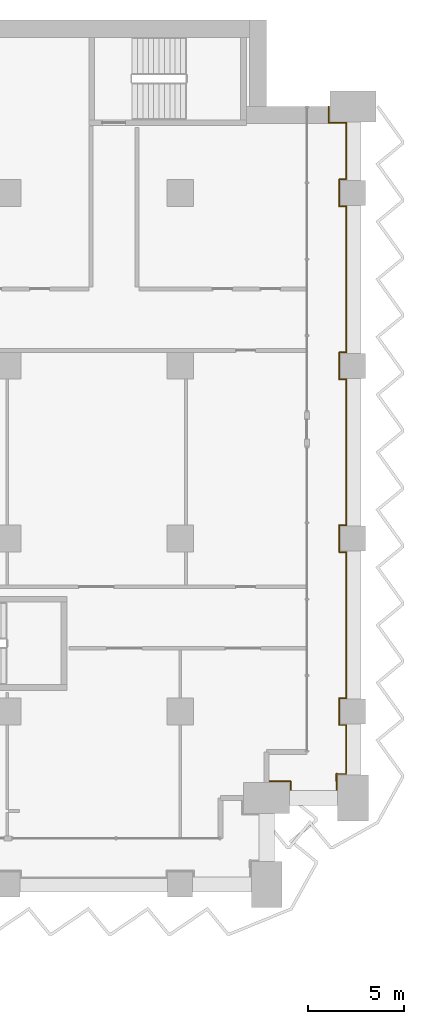
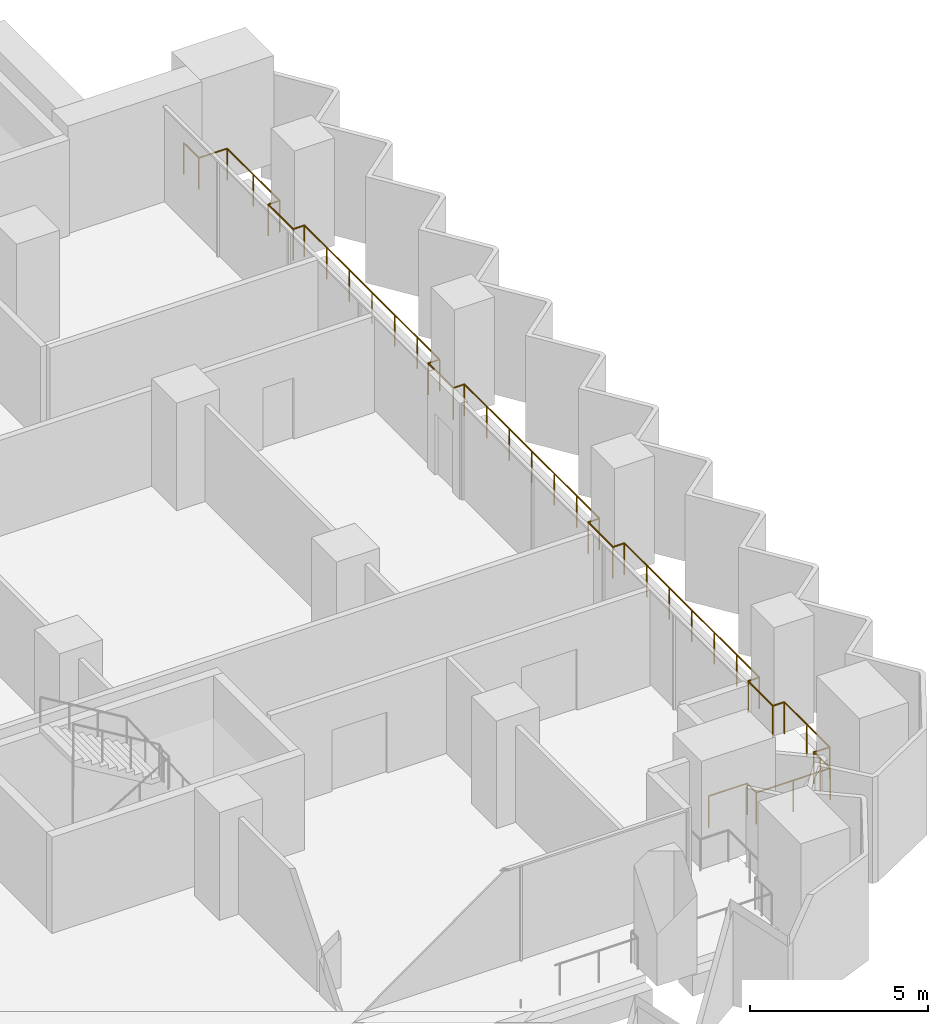
# One storey, part 28 of 28: 1 railing.
"""IFC4 building model written with IfcOpenShell, lengths in metres."""

import ifcopenshell
import ifcopenshell.guid

model = None  # the IFC model being written
_history = None  # IfcOwnerHistory: only IFC2X3 demands one
_inside = {}  # id of a spatial element -> (the spatial element, [elements in it])
_under = {}  # id of a project, library or spatial element -> (it, [spatial elements below it])
_declared = {}  # id of a project -> (the project, [libraries it declares])
_typed = {}  # id of a type object -> (the type object, [elements of that type])
_made_of = {}  # id of a material, layer set ... -> (it, [elements and type objects made of it])


def new_model(schema):
    """Start an empty IFC model of exactly this schema.

    Asked for "IFC4X3", IfcOpenShell would pick the latest addendum, in which some entities
    have other attributes; the version numbers below select the first issue.
    IFC2X3 requires an IfcOwnerHistory on every rooted entity: one is made here for all.
    """
    global model, _history
    if schema == "IFC4X3":
        model = ifcopenshell.file(schema_version=(4, 3, 0, 0))
    else:
        model = ifcopenshell.file(schema=schema)
    _inside.clear()
    _under.clear()
    _declared.clear()
    _typed.clear()
    _made_of.clear()
    _history = None
    if model.schema == "IFC2X3":
        org = make("IfcOrganization", Name="unknown")
        user = make(
            "IfcPersonAndOrganization",
            ThePerson=make("IfcPerson", FamilyName="unknown"),
            TheOrganization=org,
        )
        app = make(
            "IfcApplication",
            ApplicationDeveloper=org,
            Version="unknown",
            ApplicationFullName="unknown",
            ApplicationIdentifier="unknown",
        )
        _history = make(
            "IfcOwnerHistory",
            OwningUser=user,
            OwningApplication=app,
            ChangeAction="ADDED",
            CreationDate=0,
        )
    return model


def make(cls, **values):
    """One entity of the class cls with the attributes given. An attribute that is None is left unset."""
    return model.create_entity(
        cls, **{name: value for name, value in values.items() if value is not None}
    )


def rooted(cls, **values):
    """An entity with a GlobalId (a new one), such as an element, a storey or a relation."""
    return make(cls, GlobalId=ifcopenshell.guid.new(), OwnerHistory=_history, **values)


def si_unit(unit_type, name, prefix=None):
    """IfcSIUnit, for example si_unit("LENGTHUNIT", "METRE", prefix="MILLI")."""
    return make("IfcSIUnit", UnitType=unit_type, Prefix=prefix, Name=name)


def assignment(units):
    """IfcUnitAssignment: the units of a project."""
    return None if units is None else make("IfcUnitAssignment", Units=units)


def point(xyz):
    """IfcCartesianPoint."""
    return None if xyz is None else make("IfcCartesianPoint", Coordinates=xyz)


def direction(xyz):
    """IfcDirection."""
    return None if xyz is None else make("IfcDirection", DirectionRatios=xyz)


def frame(location, z_axis=None, x_axis=None):
    """IfcAxis2Placement3D, a coordinate frame: its origin and axes. An axis left out is left unset."""
    return make(
        "IfcAxis2Placement3D",
        Location=point(location),
        Axis=direction(z_axis),
        RefDirection=direction(x_axis),
    )


def frame_2d(location, x_axis=None):
    """IfcAxis2Placement2D, a coordinate frame in the plane: its origin and x axis."""
    return make(
        "IfcAxis2Placement2D", Location=point(location), RefDirection=direction(x_axis)
    )


def origin():
    """The frame at (0, 0, 0) with its axes left unset."""
    return frame((0.0, 0.0, 0.0))


def origin_2d():
    """The frame at (0, 0) in the plane with its x axis left unset."""
    return frame_2d((0.0, 0.0))


def place(relative_to, where):
    """IfcLocalPlacement: puts the frame where relative to a parent placement (None: the world)."""
    return make(
        "IfcLocalPlacement", PlacementRelTo=relative_to, RelativePlacement=where
    )


def context(
    kind, dimensions, precision=None, world=None, true_north=None, identifier=None
):
    """IfcGeometricRepresentationContext, for example the 3D "Model" context."""
    return make(
        "IfcGeometricRepresentationContext",
        ContextIdentifier=identifier,
        ContextType=kind,
        CoordinateSpaceDimension=dimensions,
        Precision=precision,
        WorldCoordinateSystem=world,
        TrueNorth=true_north,
    )


def subcontext(parent, identifier, kind, view, scale=None):
    """IfcGeometricRepresentationSubContext, for example "Body" below "Model"."""
    return make(
        "IfcGeometricRepresentationSubContext",
        ContextIdentifier=identifier,
        ContextType=kind,
        ParentContext=parent,
        TargetScale=scale,
        TargetView=view,
    )


def project(units=None, contexts=None):
    """IfcProject with its units and contexts."""
    return rooted(
        "IfcProject",
        Name="project",
        RepresentationContexts=contexts,
        UnitsInContext=assignment(units),
    )


def spatial(cls, under=None, at=None, **own):
    """A site, building, storey or space (cls), placed at a placement, below another one or the project."""
    s = rooted(cls, ObjectPlacement=at, **own)
    if under is not None:
        _under.setdefault(under.id(), (under, []))[1].append(s)
    return s


def profile(cls, at=None, kind="AREA", **sizes):
    """A parametric profile (cls). Its sizes go by their IFC names, for example OverallWidth=200.0."""
    return make(cls, ProfileType=kind, Position=at, **sizes)


def circle(**sizes):
    """IfcCircleProfileDef."""
    return profile("IfcCircleProfileDef", **sizes)


def extrude(swept, where, along, depth):
    """IfcExtrudedAreaSolid: the profile swept, set in the frame where, extruded along a direction by depth."""
    return make(
        "IfcExtrudedAreaSolid",
        SweptArea=swept,
        Position=where,
        ExtrudedDirection=direction(along),
        Depth=depth,
    )


def shape(context_of_items, identifier, shape_type, items):
    """IfcShapeRepresentation: the items that make up one representation, for example the "Body"."""
    return make(
        "IfcShapeRepresentation",
        ContextOfItems=context_of_items,
        RepresentationIdentifier=identifier,
        RepresentationType=shape_type,
        Items=items,
    )


def material(Name=None, Category=None):
    """IfcMaterial."""
    return make("IfcMaterial", Name=Name, Category=Category)


def made_of(thing, what):
    """Note that an element or type object is made of a material, layer set ...; save() writes the relation."""
    if what is not None:
        _made_of.setdefault(what.id(), (what, []))[1].append(thing)
    return thing


def type_object(cls, material=None, **own):
    """A type object (cls), such as IfcWallType, which elements share."""
    return made_of(rooted(cls, **own), material)


def element(
    cls,
    number,
    at=None,
    inside=None,
    cuts=None,
    type_object=None,
    material=None,
    context=None,
    identifier="Body",
    shape_type=None,
    held_by="IfcProductDefinitionShape",
    body=None,
    shapes=None,
    **own,
):
    """One element of the class cls, such as IfcWall. Its Tag is "e" and its number.

    at: its placement. inside: the storey or other place that contains it. cuts: it is an
    opening in that element (IfcRelVoidsElement). A single representation is given by context,
    identifier, shape_type and body (its items); several are given by shapes. held_by: the class
    of the entity that holds the representations. save() writes the other relations.
    """
    e = rooted(cls, Tag="e%d" % number, ObjectPlacement=at, **own)
    if body is not None:
        shapes = [shape(context, identifier, shape_type, body)]
    if shapes is not None:
        e.Representation = make(held_by, Representations=shapes)
    if inside is not None:
        _inside.setdefault(inside.id(), (inside, []))[1].append(e)
    if cuts is not None:
        rooted(
            "IfcRelVoidsElement", RelatingBuildingElement=cuts, RelatedOpeningElement=e
        )
    if type_object is not None:
        _typed.setdefault(type_object.id(), (type_object, []))[1].append(e)
    return made_of(e, material)


def aggregate(whole, parts):
    """IfcRelAggregates: a whole, such as a stair, and the parts it consists of."""
    return rooted("IfcRelAggregates", RelatingObject=whole, RelatedObjects=parts)


def save(model, path):
    """Write the relations noted so far, then the file.

    IfcRelAggregates (storeys below a building ...), IfcRelContainedInSpatialStructure (elements
    in a storey), IfcRelDefinesByType, IfcRelAssociatesMaterial and IfcRelDeclares: one each for
    every whole, place, type object, material and project.
    """
    for whole, parts in _under.values():
        aggregate(whole, parts)
    for where, things in _inside.values():
        rooted(
            "IfcRelContainedInSpatialStructure",
            RelatedElements=things,
            RelatingStructure=where,
        )
    for kind, things in _typed.values():
        rooted("IfcRelDefinesByType", RelatedObjects=things, RelatingType=kind)
    for what, things in _made_of.values():
        rooted("IfcRelAssociatesMaterial", RelatedObjects=things, RelatingMaterial=what)
    for by, libraries in _declared.values():
        rooted("IfcRelDeclares", RelatingContext=by, RelatedDefinitions=libraries)
    model.write(path)


model = new_model("IFC4")

# Units and contexts
model_context = context("Model", 3, precision=1e-05, world=origin(), true_north=direction((0.0, 1.0)))
body_context = subcontext(model_context, "Body", "Model", "MODEL_VIEW")
ifc_project = project(units=[si_unit("LENGTHUNIT", "METRE"), si_unit("AREAUNIT", "SQUARE_METRE"), si_unit("VOLUMEUNIT", "CUBIC_METRE"), si_unit("PLANEANGLEUNIT", "RADIAN"), si_unit("MASSUNIT", "GRAM", prefix="KILO")], contexts=[model_context])

# Site, building, storey
site_placement = place(None, origin())
site = spatial("IfcSite", under=ifc_project, at=site_placement, CompositionType="ELEMENT")
building_placement = place(site_placement, origin())
building = spatial("IfcBuilding", under=site, at=building_placement, Name="Hunhe Ridgeline Campus", CompositionType="ELEMENT")
storey_placement = place(building_placement, frame((0.0, 0.0, 58.0)))
storey = spatial("IfcBuildingStorey", under=building, at=storey_placement, Name="L13", CompositionType="ELEMENT", Elevation=58.0)

# Railing
ifc_material = material(Name="Steel Q355", Category="steel")
railing_type = type_object("IfcRailingType", Name="Loggia guard 1100 Steel Q355", PredefinedType="GUARDRAIL", material=ifc_material)
railing_placement = place(storey_placement, frame((94.5, 59.3701171875, 0.0)))
element("IfcRailing", 1, at=railing_placement, inside=storey, type_object=railing_type, Name="Loggia guard 3", PredefinedType="GUARDRAIL", context=body_context, shape_type="SweptSolid", body=[
    extrude(circle(Radius=0.02392578125, at=origin_2d()), frame((0.0, 0.0, 1.076171875), z_axis=(1.0, 0.0, 0.0), x_axis=(0.0, 1.0, 0.0)), (0.0, 0.0, 1.0), 1.25),
    extrude(circle(Radius=0.02392578125, at=origin_2d()), frame((1.25, 0.0, 1.076171875), z_axis=(0.0, -1.0, 0.0), x_axis=(1.0, 0.0, 0.0)), (0.0, 0.0, 1.0), 0.52001953125),
    extrude(circle(Radius=0.02392578125, at=origin_2d()), frame((1.25, -0.52001953125, 1.076171875), z_axis=(1.0, 0.0, 0.0), x_axis=(0.0, 1.0, 0.0)), (0.0, 0.0, 1.0), 2.39990234375),
    extrude(circle(Radius=0.02392578125, at=origin_2d()), frame((3.64990234375, -0.52001953125, 1.076171875), z_axis=(0.0, 1.0, 0.0), x_axis=(-1.0, 0.0, 0.0)), (0.0, 0.0, 1.0), 0.919921875),
    extrude(circle(Radius=0.02392578125, at=origin_2d()), frame((3.64990234375, 0.39990234375, 1.076171875), z_axis=(-0.049998438503, -0.998749295943, 0.0), x_axis=(0.998749295943, -0.049998438503, 0.0)), (0.0, 0.0, 1.0), 0.400390625),
    extrude(circle(Radius=0.02392578125, at=origin_2d()), frame((3.6298828125, 0.0, 1.076171875), z_axis=(0.0, 1.0, 0.0), x_axis=(-1.0, 0.0, 0.0)), (0.0, 0.0, 1.0), 0.3798828125),
    extrude(circle(Radius=0.02392578125, at=origin_2d()), frame((3.6298828125, 0.3798828125, 1.076171875), z_axis=(1.0, 0.0, 0.0), x_axis=(0.0, 1.0, 0.0)), (0.0, 0.0, 1.0), 0.52001953125),
    extrude(circle(Radius=0.02392578125, at=origin_2d()), frame((4.14990234375, 0.3798828125, 1.076171875), z_axis=(0.0, 1.0, 0.0), x_axis=(-1.0, 0.0, 0.0)), (0.0, 0.0, 1.0), 2.550048828125),
    extrude(circle(Radius=0.02392578125, at=origin_2d()), frame((4.14990234375, 2.929931640625, 1.076171875), z_axis=(-1.0, 0.0, 0.0), x_axis=(0.0, -1.0, 0.0)), (0.0, 0.0, 1.0), 0.369873046875),
    extrude(circle(Radius=0.02392578125, at=origin_2d()), frame((3.780029296875, 2.929931640625, 1.076171875), z_axis=(0.0, 1.0, 0.0), x_axis=(-1.0, 0.0, 0.0)), (0.0, 0.0, 1.0), 1.39990234375),
    extrude(circle(Radius=0.02392578125, at=origin_2d()), frame((3.780029296875, 4.329833984375, 1.076171875), z_axis=(1.0, 0.0, 0.0), x_axis=(0.0, 1.0, 0.0)), (0.0, 0.0, 1.0), 0.369873046875),
    extrude(circle(Radius=0.02392578125, at=origin_2d()), frame((4.14990234375, 4.329833984375, 1.076171875), z_axis=(0.0, 1.0, 0.0), x_axis=(-1.0, 0.0, 0.0)), (0.0, 0.0, 1.0), 7.60009765625),
    extrude(circle(Radius=0.02392578125, at=origin_2d()), frame((4.14990234375, 11.929931640625, 1.076171875), z_axis=(-1.0, 0.0, 0.0), x_axis=(0.0, -1.0, 0.0)), (0.0, 0.0, 1.0), 0.369873046875),
    extrude(circle(Radius=0.02392578125, at=origin_2d()), frame((3.780029296875, 11.929931640625, 1.076171875), z_axis=(0.0, 1.0, 0.0), x_axis=(-1.0, 0.0, 0.0)), (0.0, 0.0, 1.0), 1.39990234375),
    extrude(circle(Radius=0.02392578125, at=origin_2d()), frame((3.780029296875, 13.329833984375, 1.076171875), z_axis=(1.0, 0.0, 0.0), x_axis=(0.0, 1.0, 0.0)), (0.0, 0.0, 1.0), 0.369873046875),
    extrude(circle(Radius=0.02392578125, at=origin_2d()), frame((4.14990234375, 13.329833984375, 1.076171875), z_axis=(0.0, 1.0, 0.0), x_axis=(-1.0, 0.0, 0.0)), (0.0, 0.0, 1.0), 7.60009765625),
    extrude(circle(Radius=0.02392578125, at=origin_2d()), frame((4.14990234375, 20.929931640625, 1.076171875), z_axis=(-1.0, 0.0, 0.0), x_axis=(0.0, -1.0, 0.0)), (0.0, 0.0, 1.0), 0.369873046875),
    extrude(circle(Radius=0.02392578125, at=origin_2d()), frame((3.780029296875, 20.929931640625, 1.076171875), z_axis=(0.0, 1.0, 0.0), x_axis=(-1.0, 0.0, 0.0)), (0.0, 0.0, 1.0), 1.39990234375),
    extrude(circle(Radius=0.02392578125, at=origin_2d()), frame((3.780029296875, 22.329833984375, 1.076171875), z_axis=(1.0, 0.0, 0.0), x_axis=(0.0, 1.0, 0.0)), (0.0, 0.0, 1.0), 0.369873046875),
    extrude(circle(Radius=0.02392578125, at=origin_2d()), frame((4.14990234375, 22.329833984375, 1.076171875), z_axis=(0.0, 1.0, 0.0), x_axis=(-1.0, 0.0, 0.0)), (0.0, 0.0, 1.0), 7.60009765625),
    extrude(circle(Radius=0.02392578125, at=origin_2d()), frame((4.14990234375, 29.929931640625, 1.076171875), z_axis=(-1.0, 0.0, 0.0), x_axis=(0.0, -1.0, 0.0)), (0.0, 0.0, 1.0), 0.369873046875),
    extrude(circle(Radius=0.02392578125, at=origin_2d()), frame((3.780029296875, 29.929931640625, 1.076171875), z_axis=(0.0, 1.0, 0.0), x_axis=(-1.0, 0.0, 0.0)), (0.0, 0.0, 1.0), 1.39990234375),
    extrude(circle(Radius=0.02392578125, at=origin_2d()), frame((3.780029296875, 31.329833984375, 1.076171875), z_axis=(1.0, 0.0, 0.0), x_axis=(0.0, 1.0, 0.0)), (0.0, 0.0, 1.0), 0.369873046875),
    extrude(circle(Radius=0.02392578125, at=origin_2d()), frame((4.14990234375, 31.329833984375, 1.076171875), z_axis=(0.0, 1.0, 0.0), x_axis=(-1.0, 0.0, 0.0)), (0.0, 0.0, 1.0), 2.949951171875),
    extrude(circle(Radius=0.02392578125, at=origin_2d()), frame((4.14990234375, 34.27978515625, 1.076171875), z_axis=(-1.0, 0.0, 0.0), x_axis=(0.0, -1.0, 0.0)), (0.0, 0.0, 1.0), 0.919921875),
    extrude(circle(Radius=0.02392578125, at=origin_2d()), frame((3.22998046875, 34.27978515625, 1.076171875), z_axis=(0.0, 1.0, 0.0), x_axis=(-1.0, 0.0, 0.0)), (0.0, 0.0, 1.0), 0.85009765625),
    extrude(circle(Radius=0.02099609375, at=origin_2d()), origin(), (0.0, 0.0, 1.0), 1.052001953125),
    extrude(circle(Radius=0.02099609375, at=origin_2d()), frame((1.25, 0.0, 0.0)), (0.0, 0.0, 1.0), 1.052001953125),
    extrude(circle(Radius=0.02099609375, at=origin_2d()), frame((1.25, -0.52001953125, 0.0)), (0.0, 0.0, 1.0), 1.052001953125),
    extrude(circle(Radius=0.02099609375, at=origin_2d()), frame((2.449951171875, -0.52001953125, 0.0)), (0.0, 0.0, 1.0), 1.052001953125),
    extrude(circle(Radius=0.02099609375, at=origin_2d()), frame((3.64990234375, -0.52001953125, 0.0)), (0.0, 0.0, 1.0), 1.052001953125),
    extrude(circle(Radius=0.02099609375, at=origin_2d()), frame((3.64990234375, 0.39990234375, 0.0)), (0.0, 0.0, 1.0), 1.052001953125),
    extrude(circle(Radius=0.02099609375, at=origin_2d()), frame((3.6298828125, 0.0, 0.0)), (0.0, 0.0, 1.0), 1.052001953125),
    extrude(circle(Radius=0.02099609375, at=origin_2d()), frame((3.6298828125, 0.3798828125, 0.0)), (0.0, 0.0, 1.0), 1.052001953125),
    extrude(circle(Radius=0.02099609375, at=origin_2d()), frame((4.14990234375, 0.3798828125, 0.0)), (0.0, 0.0, 1.0), 1.052001953125),
    extrude(circle(Radius=0.02099609375, at=origin_2d()), frame((4.14990234375, 1.65478515625, 0.0)), (0.0, 0.0, 1.0), 1.052001953125),
    extrude(circle(Radius=0.02099609375, at=origin_2d()), frame((4.14990234375, 2.929931640625, 0.0)), (0.0, 0.0, 1.0), 1.052001953125),
    extrude(circle(Radius=0.02099609375, at=origin_2d()), frame((3.780029296875, 2.929931640625, 0.0)), (0.0, 0.0, 1.0), 1.052001953125),
    extrude(circle(Radius=0.02099609375, at=origin_2d()), frame((3.780029296875, 4.329833984375, 0.0)), (0.0, 0.0, 1.0), 1.052001953125),
    extrude(circle(Radius=0.02099609375, at=origin_2d()), frame((4.14990234375, 4.329833984375, 0.0)), (0.0, 0.0, 1.0), 1.052001953125),
    extrude(circle(Radius=0.02099609375, at=origin_2d()), frame((4.14990234375, 5.596435546875, 0.0)), (0.0, 0.0, 1.0), 1.052001953125),
    extrude(circle(Radius=0.02099609375, at=origin_2d()), frame((4.14990234375, 6.86328125, 0.0)), (0.0, 0.0, 1.0), 1.052001953125),
    extrude(circle(Radius=0.02099609375, at=origin_2d()), frame((4.14990234375, 8.1298828125, 0.0)), (0.0, 0.0, 1.0), 1.052001953125),
    extrude(circle(Radius=0.02099609375, at=origin_2d()), frame((4.14990234375, 9.396484375, 0.0)), (0.0, 0.0, 1.0), 1.052001953125),
    extrude(circle(Radius=0.02099609375, at=origin_2d()), frame((4.14990234375, 10.663330078125, 0.0)), (0.0, 0.0, 1.0), 1.052001953125),
    extrude(circle(Radius=0.02099609375, at=origin_2d()), frame((4.14990234375, 11.929931640625, 0.0)), (0.0, 0.0, 1.0), 1.052001953125),
    extrude(circle(Radius=0.02099609375, at=origin_2d()), frame((3.780029296875, 11.929931640625, 0.0)), (0.0, 0.0, 1.0), 1.052001953125),
    extrude(circle(Radius=0.02099609375, at=origin_2d()), frame((3.780029296875, 13.329833984375, 0.0)), (0.0, 0.0, 1.0), 1.052001953125),
    extrude(circle(Radius=0.02099609375, at=origin_2d()), frame((4.14990234375, 13.329833984375, 0.0)), (0.0, 0.0, 1.0), 1.052001953125),
    extrude(circle(Radius=0.02099609375, at=origin_2d()), frame((4.14990234375, 14.596435546875, 0.0)), (0.0, 0.0, 1.0), 1.052001953125),
    extrude(circle(Radius=0.02099609375, at=origin_2d()), frame((4.14990234375, 15.86328125, 0.0)), (0.0, 0.0, 1.0), 1.052001953125),
    extrude(circle(Radius=0.02099609375, at=origin_2d()), frame((4.14990234375, 17.1298828125, 0.0)), (0.0, 0.0, 1.0), 1.052001953125),
    extrude(circle(Radius=0.02099609375, at=origin_2d()), frame((4.14990234375, 18.396484375, 0.0)), (0.0, 0.0, 1.0), 1.052001953125),
    extrude(circle(Radius=0.02099609375, at=origin_2d()), frame((4.14990234375, 19.663330078125, 0.0)), (0.0, 0.0, 1.0), 1.052001953125),
    extrude(circle(Radius=0.02099609375, at=origin_2d()), frame((4.14990234375, 20.929931640625, 0.0)), (0.0, 0.0, 1.0), 1.052001953125),
    extrude(circle(Radius=0.02099609375, at=origin_2d()), frame((3.780029296875, 20.929931640625, 0.0)), (0.0, 0.0, 1.0), 1.052001953125),
    extrude(circle(Radius=0.02099609375, at=origin_2d()), frame((3.780029296875, 22.329833984375, 0.0)), (0.0, 0.0, 1.0), 1.052001953125),
    extrude(circle(Radius=0.02099609375, at=origin_2d()), frame((4.14990234375, 22.329833984375, 0.0)), (0.0, 0.0, 1.0), 1.052001953125),
    extrude(circle(Radius=0.02099609375, at=origin_2d()), frame((4.14990234375, 23.596435546875, 0.0)), (0.0, 0.0, 1.0), 1.052001953125),
    extrude(circle(Radius=0.02099609375, at=origin_2d()), frame((4.14990234375, 24.86328125, 0.0)), (0.0, 0.0, 1.0), 1.052001953125),
    extrude(circle(Radius=0.02099609375, at=origin_2d()), frame((4.14990234375, 26.1298828125, 0.0)), (0.0, 0.0, 1.0), 1.052001953125),
    extrude(circle(Radius=0.02099609375, at=origin_2d()), frame((4.14990234375, 27.396484375, 0.0)), (0.0, 0.0, 1.0), 1.052001953125),
    extrude(circle(Radius=0.02099609375, at=origin_2d()), frame((4.14990234375, 28.663330078125, 0.0)), (0.0, 0.0, 1.0), 1.052001953125),
    extrude(circle(Radius=0.02099609375, at=origin_2d()), frame((4.14990234375, 29.929931640625, 0.0)), (0.0, 0.0, 1.0), 1.052001953125),
    extrude(circle(Radius=0.02099609375, at=origin_2d()), frame((3.780029296875, 29.929931640625, 0.0)), (0.0, 0.0, 1.0), 1.052001953125),
    extrude(circle(Radius=0.02099609375, at=origin_2d()), frame((3.780029296875, 31.329833984375, 0.0)), (0.0, 0.0, 1.0), 1.052001953125),
    extrude(circle(Radius=0.02099609375, at=origin_2d()), frame((4.14990234375, 31.329833984375, 0.0)), (0.0, 0.0, 1.0), 1.052001953125),
    extrude(circle(Radius=0.02099609375, at=origin_2d()), frame((4.14990234375, 32.8046875, 0.0)), (0.0, 0.0, 1.0), 1.052001953125),
    extrude(circle(Radius=0.02099609375, at=origin_2d()), frame((4.14990234375, 34.27978515625, 0.0)), (0.0, 0.0, 1.0), 1.052001953125),
    extrude(circle(Radius=0.02099609375, at=origin_2d()), frame((3.22998046875, 34.27978515625, 0.0)), (0.0, 0.0, 1.0), 1.052001953125),
    extrude(circle(Radius=0.02099609375, at=origin_2d()), frame((3.22998046875, 35.1298828125, 0.0)), (0.0, 0.0, 1.0), 1.052001953125),
])

save(model, "model.ifc")
